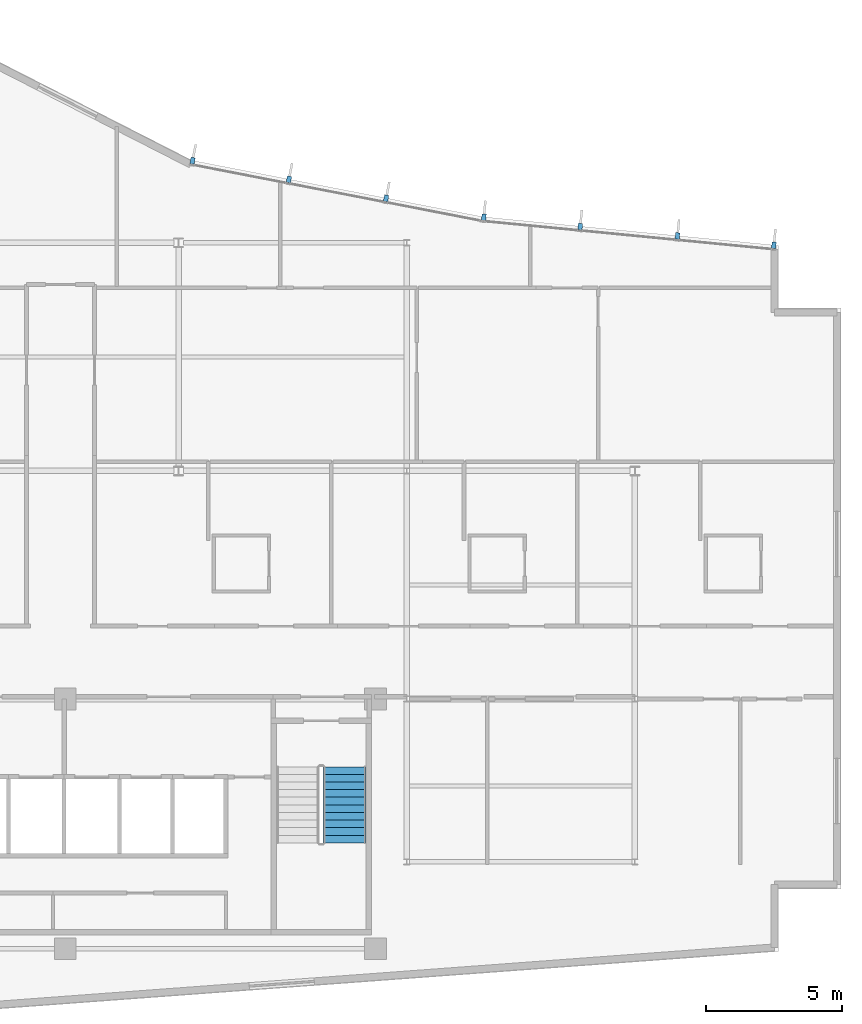
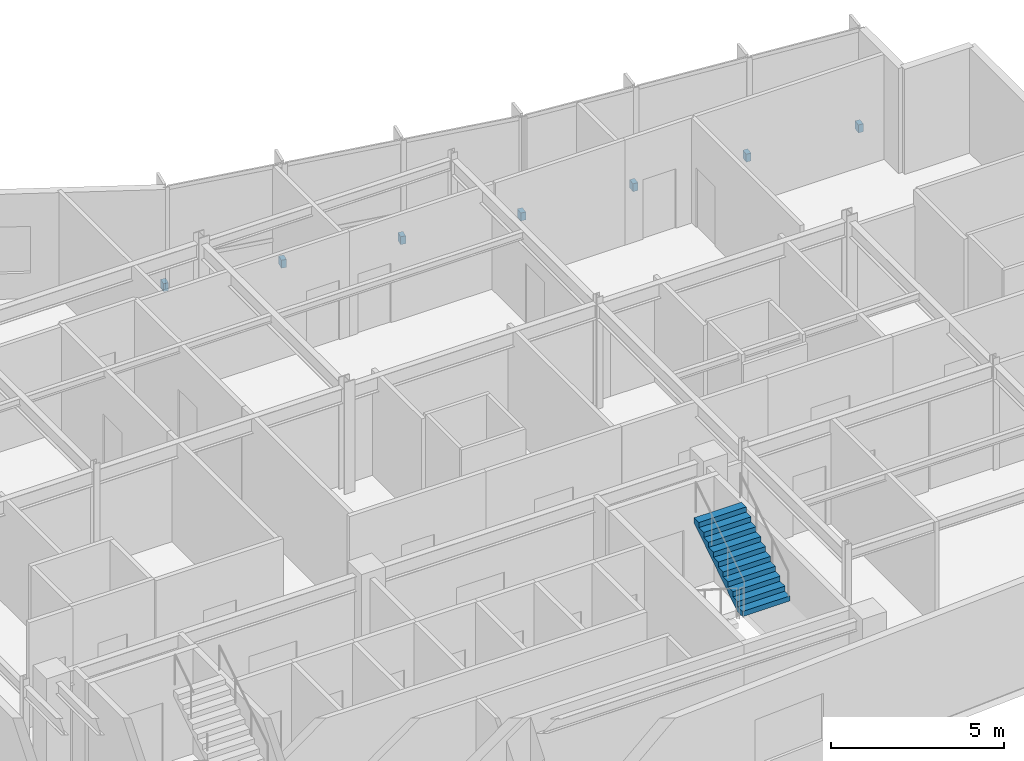
# One storey, part 13 of 16: 7 discrete accessories, 1 stair flight, 1 element without a shape of its own.
"""IFC4 building model written with IfcOpenShell, lengths in metres."""

import ifcopenshell
import ifcopenshell.guid

model = None  # the IFC model being written
_history = None  # IfcOwnerHistory: only IFC2X3 demands one
_inside = {}  # id of a spatial element -> (the spatial element, [elements in it])
_under = {}  # id of a project, library or spatial element -> (it, [spatial elements below it])
_declared = {}  # id of a project -> (the project, [libraries it declares])
_typed = {}  # id of a type object -> (the type object, [elements of that type])
_made_of = {}  # id of a material, layer set ... -> (it, [elements and type objects made of it])


def new_model(schema):
    """Start an empty IFC model of exactly this schema.

    Asked for "IFC4X3", IfcOpenShell would pick the latest addendum, in which some entities
    have other attributes; the version numbers below select the first issue.
    IFC2X3 requires an IfcOwnerHistory on every rooted entity: one is made here for all.
    """
    global model, _history
    if schema == "IFC4X3":
        model = ifcopenshell.file(schema_version=(4, 3, 0, 0))
    else:
        model = ifcopenshell.file(schema=schema)
    _inside.clear()
    _under.clear()
    _declared.clear()
    _typed.clear()
    _made_of.clear()
    _history = None
    if model.schema == "IFC2X3":
        org = make("IfcOrganization", Name="unknown")
        user = make(
            "IfcPersonAndOrganization",
            ThePerson=make("IfcPerson", FamilyName="unknown"),
            TheOrganization=org,
        )
        app = make(
            "IfcApplication",
            ApplicationDeveloper=org,
            Version="unknown",
            ApplicationFullName="unknown",
            ApplicationIdentifier="unknown",
        )
        _history = make(
            "IfcOwnerHistory",
            OwningUser=user,
            OwningApplication=app,
            ChangeAction="ADDED",
            CreationDate=0,
        )
    return model


def make(cls, **values):
    """One entity of the class cls with the attributes given. An attribute that is None is left unset."""
    return model.create_entity(
        cls, **{name: value for name, value in values.items() if value is not None}
    )


def rooted(cls, **values):
    """An entity with a GlobalId (a new one), such as an element, a storey or a relation."""
    return make(cls, GlobalId=ifcopenshell.guid.new(), OwnerHistory=_history, **values)


def si_unit(unit_type, name, prefix=None):
    """IfcSIUnit, for example si_unit("LENGTHUNIT", "METRE", prefix="MILLI")."""
    return make("IfcSIUnit", UnitType=unit_type, Prefix=prefix, Name=name)


def assignment(units):
    """IfcUnitAssignment: the units of a project."""
    return None if units is None else make("IfcUnitAssignment", Units=units)


def point(xyz):
    """IfcCartesianPoint."""
    return None if xyz is None else make("IfcCartesianPoint", Coordinates=xyz)


def direction(xyz):
    """IfcDirection."""
    return None if xyz is None else make("IfcDirection", DirectionRatios=xyz)


def frame(location, z_axis=None, x_axis=None):
    """IfcAxis2Placement3D, a coordinate frame: its origin and axes. An axis left out is left unset."""
    return make(
        "IfcAxis2Placement3D",
        Location=point(location),
        Axis=direction(z_axis),
        RefDirection=direction(x_axis),
    )


def frame_2d(location, x_axis=None):
    """IfcAxis2Placement2D, a coordinate frame in the plane: its origin and x axis."""
    return make(
        "IfcAxis2Placement2D", Location=point(location), RefDirection=direction(x_axis)
    )


def origin():
    """The frame at (0, 0, 0) with its axes left unset."""
    return frame((0.0, 0.0, 0.0))


def origin_2d():
    """The frame at (0, 0) in the plane with its x axis left unset."""
    return frame_2d((0.0, 0.0))


def place(relative_to, where):
    """IfcLocalPlacement: puts the frame where relative to a parent placement (None: the world)."""
    return make(
        "IfcLocalPlacement", PlacementRelTo=relative_to, RelativePlacement=where
    )


def context(
    kind, dimensions, precision=None, world=None, true_north=None, identifier=None
):
    """IfcGeometricRepresentationContext, for example the 3D "Model" context."""
    return make(
        "IfcGeometricRepresentationContext",
        ContextIdentifier=identifier,
        ContextType=kind,
        CoordinateSpaceDimension=dimensions,
        Precision=precision,
        WorldCoordinateSystem=world,
        TrueNorth=true_north,
    )


def subcontext(parent, identifier, kind, view, scale=None):
    """IfcGeometricRepresentationSubContext, for example "Body" below "Model"."""
    return make(
        "IfcGeometricRepresentationSubContext",
        ContextIdentifier=identifier,
        ContextType=kind,
        ParentContext=parent,
        TargetScale=scale,
        TargetView=view,
    )


def project(units=None, contexts=None):
    """IfcProject with its units and contexts."""
    return rooted(
        "IfcProject",
        Name="project",
        RepresentationContexts=contexts,
        UnitsInContext=assignment(units),
    )


def spatial(cls, under=None, at=None, **own):
    """A site, building, storey or space (cls), placed at a placement, below another one or the project."""
    s = rooted(cls, ObjectPlacement=at, **own)
    if under is not None:
        _under.setdefault(under.id(), (under, []))[1].append(s)
    return s


def polyline(points):
    """IfcPolyline through the points."""
    return make("IfcPolyline", Points=[point(p) for p in points])


def profile(cls, at=None, kind="AREA", **sizes):
    """A parametric profile (cls). Its sizes go by their IFC names, for example OverallWidth=200.0."""
    return make(cls, ProfileType=kind, Position=at, **sizes)


def rectangle(**sizes):
    """IfcRectangleProfileDef."""
    return profile("IfcRectangleProfileDef", **sizes)


def outline(outer, holes=None, kind="AREA"):
    """IfcArbitraryClosedProfileDef: a profile drawn as a closed curve; with holes, ...WithVoids."""
    if holes is None:
        return make("IfcArbitraryClosedProfileDef", ProfileType=kind, OuterCurve=outer)
    return make(
        "IfcArbitraryProfileDefWithVoids",
        ProfileType=kind,
        OuterCurve=outer,
        InnerCurves=holes,
    )


def extrude(swept, where, along, depth):
    """IfcExtrudedAreaSolid: the profile swept, set in the frame where, extruded along a direction by depth."""
    return make(
        "IfcExtrudedAreaSolid",
        SweptArea=swept,
        Position=where,
        ExtrudedDirection=direction(along),
        Depth=depth,
    )


def shape(context_of_items, identifier, shape_type, items):
    """IfcShapeRepresentation: the items that make up one representation, for example the "Body"."""
    return make(
        "IfcShapeRepresentation",
        ContextOfItems=context_of_items,
        RepresentationIdentifier=identifier,
        RepresentationType=shape_type,
        Items=items,
    )


def material(Name=None, Category=None):
    """IfcMaterial."""
    return make("IfcMaterial", Name=Name, Category=Category)


def layer(
    of_material, thickness, ventilated=None, Name=None, Category=None, Priority=None
):
    """IfcMaterialLayer: one layer of a wall or slab, of a material (None: an air gap)."""
    return make(
        "IfcMaterialLayer",
        Material=of_material,
        LayerThickness=thickness,
        IsVentilated=ventilated,
        Name=Name,
        Category=Category,
        Priority=Priority,
    )


def layer_set(layers, Name=None):
    """IfcMaterialLayerSet."""
    return make("IfcMaterialLayerSet", MaterialLayers=layers, LayerSetName=Name)


def made_of(thing, what):
    """Note that an element or type object is made of a material, layer set ...; save() writes the relation."""
    if what is not None:
        _made_of.setdefault(what.id(), (what, []))[1].append(thing)
    return thing


def type_object(cls, material=None, **own):
    """A type object (cls), such as IfcWallType, which elements share."""
    return made_of(rooted(cls, **own), material)


def element(
    cls,
    number,
    at=None,
    inside=None,
    cuts=None,
    type_object=None,
    material=None,
    context=None,
    identifier="Body",
    shape_type=None,
    held_by="IfcProductDefinitionShape",
    body=None,
    shapes=None,
    **own,
):
    """One element of the class cls, such as IfcWall. Its Tag is "e" and its number.

    at: its placement. inside: the storey or other place that contains it. cuts: it is an
    opening in that element (IfcRelVoidsElement). A single representation is given by context,
    identifier, shape_type and body (its items); several are given by shapes. held_by: the class
    of the entity that holds the representations. save() writes the other relations.
    """
    e = rooted(cls, Tag="e%d" % number, ObjectPlacement=at, **own)
    if body is not None:
        shapes = [shape(context, identifier, shape_type, body)]
    if shapes is not None:
        e.Representation = make(held_by, Representations=shapes)
    if inside is not None:
        _inside.setdefault(inside.id(), (inside, []))[1].append(e)
    if cuts is not None:
        rooted(
            "IfcRelVoidsElement", RelatingBuildingElement=cuts, RelatedOpeningElement=e
        )
    if type_object is not None:
        _typed.setdefault(type_object.id(), (type_object, []))[1].append(e)
    return made_of(e, material)


def aggregate(whole, parts):
    """IfcRelAggregates: a whole, such as a stair, and the parts it consists of."""
    return rooted("IfcRelAggregates", RelatingObject=whole, RelatedObjects=parts)


def save(model, path):
    """Write the relations noted so far, then the file.

    IfcRelAggregates (storeys below a building ...), IfcRelContainedInSpatialStructure (elements
    in a storey), IfcRelDefinesByType, IfcRelAssociatesMaterial and IfcRelDeclares: one each for
    every whole, place, type object, material and project.
    """
    for whole, parts in _under.values():
        aggregate(whole, parts)
    for where, things in _inside.values():
        rooted(
            "IfcRelContainedInSpatialStructure",
            RelatedElements=things,
            RelatingStructure=where,
        )
    for kind, things in _typed.values():
        rooted("IfcRelDefinesByType", RelatedObjects=things, RelatingType=kind)
    for what, things in _made_of.values():
        rooted("IfcRelAssociatesMaterial", RelatedObjects=things, RelatingMaterial=what)
    for by, libraries in _declared.values():
        rooted("IfcRelDeclares", RelatingContext=by, RelatedDefinitions=libraries)
    model.write(path)


model = new_model("IFC4")

# Units and contexts
model_context = context("Model", 3, precision=1e-05, world=origin(), true_north=direction((0.0, 1.0)))
body_context = subcontext(model_context, "Body", "Model", "MODEL_VIEW")
ifc_project = project(units=[si_unit("LENGTHUNIT", "METRE"), si_unit("AREAUNIT", "SQUARE_METRE"), si_unit("VOLUMEUNIT", "CUBIC_METRE"), si_unit("PLANEANGLEUNIT", "RADIAN"), si_unit("MASSUNIT", "GRAM", prefix="KILO")], contexts=[model_context])

# Site, building, storey
site_placement = place(None, origin())
site = spatial("IfcSite", under=ifc_project, at=site_placement, CompositionType="ELEMENT")
building_placement = place(site_placement, origin())
building = spatial("IfcBuilding", under=site, at=building_placement, Name="Varnakote Quay Hospital", CompositionType="ELEMENT")
storey_placement = place(building_placement, frame((0.0, 0.0, 280.25)))
storey = spatial("IfcBuildingStorey", under=building, at=storey_placement, Name="L69", CompositionType="ELEMENT", Elevation=280.25)

# Stair, stair flight
ifc_material_1 = material(Name="Concrete N40 (f'c 40 MPa)", Category="concrete")
stair_type = type_object("IfcStairType", Name="STR-CORE-1580", PredefinedType="HALF_TURN_STAIR", material=ifc_material_1)
stair_placement = place(storey_placement, origin())
stair = element("IfcStair", 1, at=stair_placement, inside=storey, type_object=stair_type, Name="L69 Fire-Isolated Exit Stair ST-02", PredefinedType="HALF_TURN_STAIR")
ifc_material_2 = material(Name="Concrete N40 (f'c 40 MPa)", Category="concrete")
ifc_layer = layer(ifc_material_2, 0.159912109375)
ifc_layer_set = layer_set([ifc_layer], Name="Concrete N40 (f'c 40 MPa)")
stair_flight_type = type_object("IfcStairFlightType", Name="FLT-CORE-1580", PredefinedType="STRAIGHT", material=ifc_layer_set)
stair_flight_placement = place(storey_placement, frame((22.909912109375, 6.699951171875, 1.97509765625), z_axis=(0.0, 0.0, 1.0), x_axis=(0.0, 1.0, 0.0)))
stair_flight = element("IfcStairFlight", 2, at=stair_flight_placement, type_object=stair_flight_type, Name="ST-02 flight 2", NumberOfRisers=11, NumberOfTreads=10, PredefinedType="STRAIGHT", RiserHeight=0.179545455, TreadLength=0.28, context=body_context, shape_type="SweptSolid", body=[
    extrude(outline(polyline([(0.0, 0.0), (0.0, 0.179443359375), (0.280029296875, 0.179443359375), (0.280029296875, 0.359130859375), (0.56005859375, 0.359130859375), (0.56005859375, 0.53857421875), (0.840087890625, 0.53857421875), (0.840087890625, 0.71826171875), (1.1201171875, 0.71826171875), (1.1201171875, 0.897705078125), (1.39990234375, 0.897705078125), (1.39990234375, 1.077392578125), (1.679931640625, 1.077392578125), (1.679931640625, 1.2568359375), (1.9599609375, 1.2568359375), (1.9599609375, 1.436279296875), (2.239990234375, 1.436279296875), (2.239990234375, 1.615966796875), (2.52001953125, 1.615966796875), (2.52001953125, 1.79541015625), (2.800048828125, 1.79541015625), (2.800048828125, 1.97509765625), (2.800048828125, 1.60546875), (0.296142578125, 0.0), (0.0, 0.0)])), frame((0.0, 0.7900390625, 0.0), z_axis=(0.0, -1.0, 0.0), x_axis=(1.0, 0.0, 0.0)), (0.0, 0.0, 1.0), 1.580078125),
])
aggregate(stair, [stair_flight])

# Discrete accessories
ifc_material_3 = material(Name="Anodised aluminium 6063-T6 Bronze", Category="aluminium")
discrete_accessory_type = type_object("IfcDiscreteAccessoryType", Name="ACC-FIN-BRACKET-180", PredefinedType="BRACKET", material=ifc_material_3)
for number, where, z_axis, x_axis, name in (
    (3, (38.72216796875, 28.707275390625, 0.0), (0.0, 0.0, 1.0), (-0.995329042842, 0.096540646748, 0.0), "L69 Curtain Wall Fin Fixing Bracket"),
    (4, (35.172119140625, 29.0517578125, 0.0), (0.0, 0.0, 1.0), (-0.995329042842, 0.096540646748, 0.0), "L69 Curtain Wall Fin Fixing Bracket"),
    (5, (31.58984375, 29.399169921875, 0.0), (0.0, 0.0, 1.0), (-0.995329042842, 0.096540646748, 0.0), "L69 Curtain Wall Fin Fixing Bracket"),
    (6, (28.039794921875, 29.74365234375, 0.0), (0.0, 0.0, 1.0), (-0.995329042842, 0.096540646748, 0.0), "L69 Curtain Wall Fin Fixing Bracket"),
    (7, (24.44091796875, 30.439208984375, 0.0), (0.0, 0.0, 1.0), (-0.981693728546, 0.190466331231, 0.0), "L69 Curtain Wall Fin Fixing Bracket"),
    (8, (20.860595703125, 31.1337890625, 0.0), (0.0, 0.0, 1.0), (-0.981693728546, 0.190466331231, 0.0), "L69 Curtain Wall Fin Fixing Bracket"),
    (9, (17.31201171875, 31.822265625, 0.0), (0.0, 0.0, 1.0), (-0.981693728546, 0.190466331231, 0.0), "L69 Curtain Wall Fin Fixing Bracket"),
):
    element("IfcDiscreteAccessory", number, at=place(storey_placement, frame(where, z_axis=z_axis, x_axis=x_axis)), inside=storey, type_object=discrete_accessory_type, Name=name, PredefinedType="BRACKET", context=body_context, shape_type="SweptSolid", body=[
        extrude(rectangle(XDim=0.159912109375, YDim=0.239990234375, at=origin_2d()), origin(), (0.0, 0.0, 1.0), 0.280029296875),
    ])

save(model, "model.ifc")
